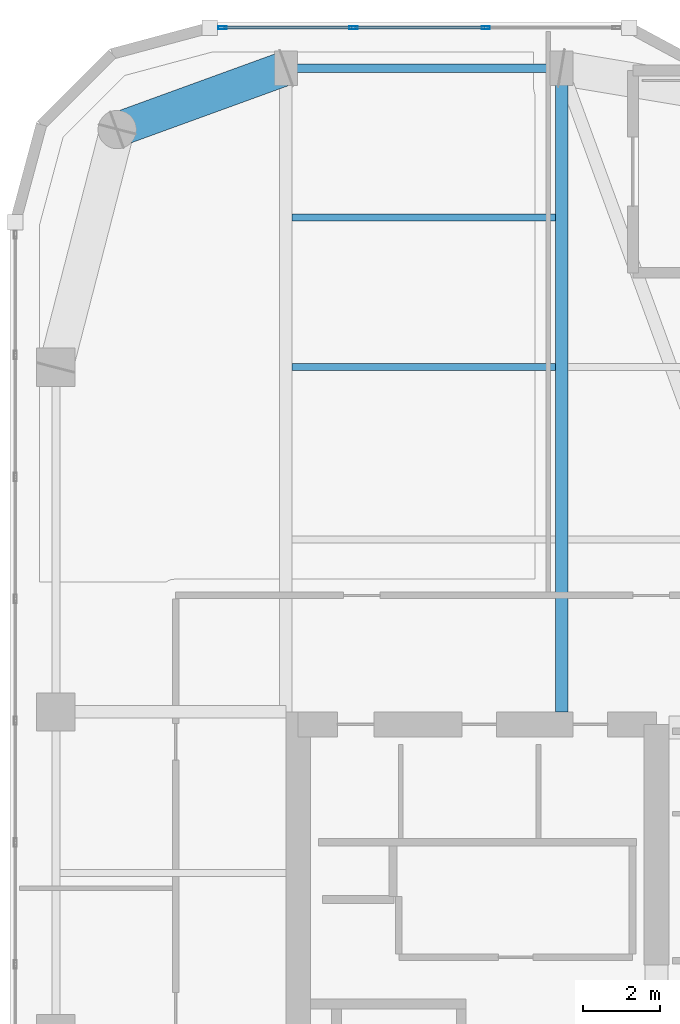
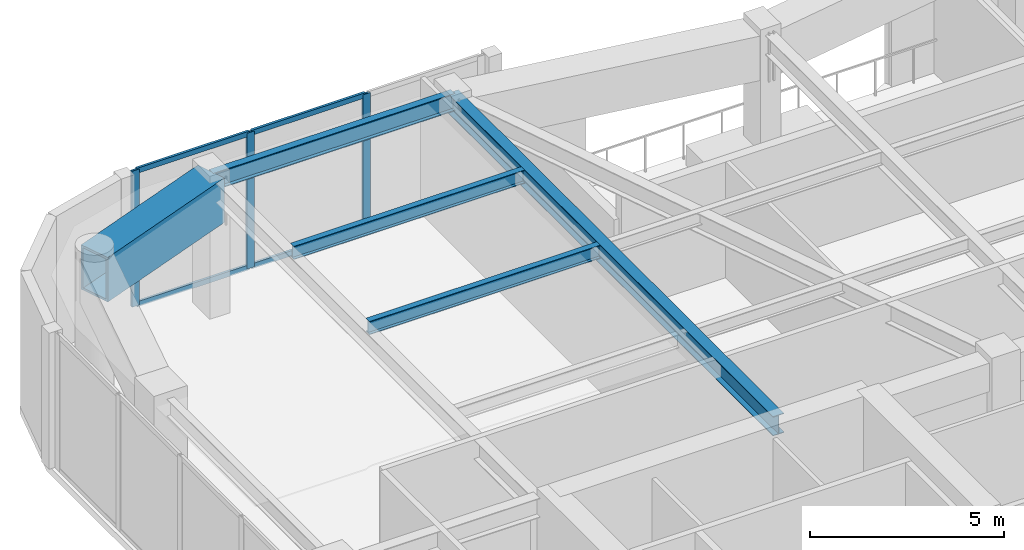
# One storey, part 7 of 19: 7 members, 5 beams, 1 element without a shape of its own.
"""IFC4 building model written with IfcOpenShell, lengths in metres."""

from ifc_helpers import new_model, si_unit, direction, frame, origin, origin_2d, place, context, subcontext, project, spatial, hollow_rectangle, i_section, extrude, material, layer, layer_set, material_profile, profile_set, type_object, element, aggregate, save


model = new_model("IFC4")

# Units and contexts
model_context = context("Model", 3, precision=1e-05, world=origin(), true_north=direction((0.0, 1.0)))
body_context = subcontext(model_context, "Body", "Model", "MODEL_VIEW")
ifc_project = project(units=[si_unit("LENGTHUNIT", "METRE"), si_unit("AREAUNIT", "SQUARE_METRE"), si_unit("VOLUMEUNIT", "CUBIC_METRE"), si_unit("PLANEANGLEUNIT", "RADIAN"), si_unit("MASSUNIT", "GRAM", prefix="KILO")], contexts=[model_context])

# Site, building, storey
site_placement = place(None, origin())
site = spatial("IfcSite", under=ifc_project, at=site_placement, CompositionType="ELEMENT")
building_placement = place(site_placement, origin())
building = spatial("IfcBuilding", under=site, at=building_placement, Name="Kiyonajd Concourse Tower", CompositionType="ELEMENT")
storey_placement = place(building_placement, frame((0.0, 0.0, 238.800048828125)))
storey = spatial("IfcBuildingStorey", under=building, at=storey_placement, Name="L60", CompositionType="ELEMENT", Elevation=238.800048828125)

# Beams
ifc_material_1 = material(Name="Steel ASTM A992 Grade 50", Category="steel")
ifc_material_profile_1 = material_profile(ifc_material_1, i_section(OverallWidth=0.180908203125, OverallDepth=0.4169921875, WebThickness=0.010986328125, FlangeThickness=0.018310546875, at=origin_2d()), Name="W410X85")
ifc_profile_set_1 = profile_set([ifc_material_profile_1], Name="Steel ASTM A992 Grade 50")
beam_type_1 = type_object("IfcBeamType", Name="BM-JST-410", PredefinedType="JOIST", material=ifc_profile_set_1)
for number, where, z_axis, x_axis, name in (
    (1, (32.56201171875, 53.39990234375, 4.071533203125), (1.0, 0.0, 0.0), (0.0, 1.0, 0.0), "L60 Secondary Floor Joist"),
    (2, (32.56201171875, 57.300048828125, 4.071533203125), (1.0, 0.0, 0.0), (0.0, 1.0, 0.0), "L60 Secondary Floor Joist"),
):
    element("IfcBeam", number, at=place(storey_placement, frame(where, z_axis=z_axis, x_axis=x_axis)), inside=storey, type_object=beam_type_1, Name=name, PredefinedType="JOIST", context=body_context, shape_type="SweptSolid", body=[
        extrude(i_section(OverallWidth=0.180908203125, OverallDepth=0.4169921875, WebThickness=0.010986328125, FlangeThickness=0.018310546875, at=origin_2d()), origin(), (0.0, 0.0, 1.0), 6.8759765625),
    ])
ifc_material_profile_2 = material_profile(ifc_material_1, i_section(OverallWidth=0.214111328125, OverallDepth=0.549072265625, WebThickness=0.0146484375, FlangeThickness=0.023681640625, at=origin_2d()), Name="W530X138")
ifc_profile_set_2 = profile_set([ifc_material_profile_2], Name="Steel ASTM A992 Grade 50")
beam_type_2 = type_object("IfcBeamType", Name="BM-SPAN-530A", PredefinedType="SPANDREL", material=ifc_profile_set_2)
beam_1_placement = place(storey_placement, frame((39.60009765625, 61.199951171875, 4.00537109375), z_axis=(-1.0, 0.0, 0.0), x_axis=(0.0, -1.0, 0.0)))
element("IfcBeam", 3, at=beam_1_placement, inside=storey, type_object=beam_type_2, Name="L60 Perimeter Bundled Tube Spandrel", PredefinedType="SPANDREL", context=body_context, shape_type="SweptSolid", body=[
    extrude(i_section(OverallWidth=0.214111328125, OverallDepth=0.549072265625, WebThickness=0.0146484375, FlangeThickness=0.023681640625, at=origin_2d()), origin(), (0.0, 0.0, 1.0), 7.2001953125),
])
ifc_material_profile_3 = material_profile(ifc_material_1, i_section(OverallWidth=0.323974609375, OverallDepth=0.611083984375, WebThickness=0.0126953125, FlangeThickness=0.01904296875, at=origin_2d()), Name="W610X155")
ifc_profile_set_3 = profile_set([ifc_material_profile_3], Name="Steel ASTM A992 Grade 50")
beam_type_3 = type_object("IfcBeamType", Name="BM-TWR-610B", PredefinedType="BEAM", material=ifc_profile_set_3)
beam_2_placement = place(storey_placement, frame((39.60009765625, 44.39990234375, 3.974365234375), z_axis=(0.0, 1.0, 0.0), x_axis=(-1.0, 0.0, 0.0)))
element("IfcBeam", 4, at=beam_2_placement, inside=storey, type_object=beam_type_3, Name="L60 North Lease Girder", PredefinedType="BEAM", context=body_context, shape_type="SweptSolid", body=[
    extrude(i_section(OverallWidth=0.323974609375, OverallDepth=0.611083984375, WebThickness=0.0126953125, FlangeThickness=0.01904296875, at=origin_2d()), origin(), (0.0, 0.0, 1.0), 16.800048828125),
])
ifc_material_2 = material(Name="Steel ASTM A572 Grade 50", Category="steel")
ifc_material_profile_4 = material_profile(ifc_material_2, hollow_rectangle(XDim=0.89990234375, YDim=1.39990234375, WallThickness=0.070068359375, at=origin_2d()), Name="BOX-1400x900x70")
ifc_profile_set_4 = profile_set([ifc_material_profile_4], Name="Steel ASTM A572 Grade 50")
beam_type_4 = type_object("IfcBeamType", Name="BM-XFER-1400", PredefinedType="BEAM", material=ifc_profile_set_4)
beam_3_placement = place(storey_placement, frame((32.39990234375, 61.199951171875, 3.579833984375), z_axis=(-0.939801036019, -0.341722127901, 0.0), x_axis=(0.341722127901, -0.939801036019, 0.0)))
element("IfcBeam", 5, at=beam_3_placement, inside=storey, type_object=beam_type_4, Name="L60 Perimeter Bundled Tube Spandrel", PredefinedType="BEAM", context=body_context, shape_type="SweptSolid", body=[
    extrude(hollow_rectangle(XDim=0.89990234375, YDim=1.39990234375, WallThickness=0.070068359375, at=origin_2d()), origin(), (0.0, 0.0, 1.0), 4.681640625),
])

# Curtain wall, members
ifc_material_3 = material(Name="Thermally Broken Anodised Aluminium", Category="aluminium")
ifc_layer = layer(ifc_material_3, 0.179931640625)
ifc_layer_set = layer_set([ifc_layer], Name="Thermally Broken Anodised Aluminium")
curtain_wall_type = type_object("IfcCurtainWallType", Name="CW-SYS-05", PredefinedType="NOTDEFINED", material=ifc_layer_set)
curtain_wall_placement = place(storey_placement, origin())
curtain_wall = element("IfcCurtainWall", 6, at=curtain_wall_placement, inside=storey, type_object=curtain_wall_type, Name="L60 Unitised Curtain Wall CW5", PredefinedType="NOTDEFINED")
ifc_material_profile_5 = material_profile(ifc_material_3, hollow_rectangle(XDim=0.074951171875, YDim=0.219970703125, WallThickness=0.0048828125, at=origin_2d()), Name="MULL-75x220")
ifc_profile_set_5 = profile_set([ifc_material_profile_5], Name="Thermally Broken Anodised Aluminium")
member_type_1 = type_object("IfcMemberType", Name="MB-CW-MULL2", PredefinedType="MULLION", material=ifc_profile_set_5)
member_1_placement = place(storey_placement, frame((30.745849609375, 62.260009765625, 0.0), z_axis=(0.0, 0.0, 1.0), x_axis=(0.0, 1.0, 0.0)))
member_1 = element("IfcMember", 7, at=member_1_placement, type_object=member_type_1, Name="CW5 mullion 1", PredefinedType="MULLION", context=body_context, shape_type="SweptSolid", body=[
    extrude(hollow_rectangle(XDim=0.074951171875, YDim=0.219970703125, WallThickness=0.0048828125, at=origin_2d()), origin(), (0.0, 0.0, 1.0), 4.280029296875),
])
member_2_placement = place(storey_placement, frame((34.163818359375, 62.260009765625, 0.0), z_axis=(0.0, 0.0, 1.0), x_axis=(0.0, 1.0, 0.0)))
member_2 = element("IfcMember", 8, at=member_2_placement, type_object=member_type_1, Name="CW5 mullion 2", PredefinedType="MULLION", context=body_context, shape_type="SweptSolid", body=[
    extrude(hollow_rectangle(XDim=0.074951171875, YDim=0.219970703125, WallThickness=0.0048828125, at=origin_2d()), origin(), (0.0, 0.0, 1.0), 4.280029296875),
])
member_3_placement = place(storey_placement, frame((37.619384765625, 62.260009765625, 0.0), z_axis=(0.0, 0.0, 1.0), x_axis=(0.0, 1.0, 0.0)))
member_3 = element("IfcMember", 9, at=member_3_placement, type_object=member_type_1, Name="CW5 mullion 3", PredefinedType="MULLION", context=body_context, shape_type="SweptSolid", body=[
    extrude(hollow_rectangle(XDim=0.074951171875, YDim=0.219970703125, WallThickness=0.0048828125, at=origin_2d()), origin(), (0.0, 0.0, 1.0), 4.280029296875),
])
ifc_material_profile_6 = material_profile(ifc_material_3, hollow_rectangle(XDim=0.074951171875, YDim=0.159912109375, WallThickness=0.0048828125, at=origin_2d()), Name="TRAN-75x160")
ifc_profile_set_6 = profile_set([ifc_material_profile_6], Name="Thermally Broken Anodised Aluminium")
member_type_2 = type_object("IfcMemberType", Name="MB-CW-TRAN2", PredefinedType="USERDEFINED", material=ifc_profile_set_6)
member_4_placement = place(storey_placement, frame((30.783447265625, 62.260009765625, 0.037353515625), z_axis=(1.0, 0.0, 0.0), x_axis=(0.0, 1.0, 0.0)))
member_4 = element("IfcMember", 10, at=member_4_placement, type_object=member_type_2, Name="CW5 transom 1.1", ObjectType="TRANSOM", PredefinedType="USERDEFINED", context=body_context, shape_type="SweptSolid", body=[
    extrude(hollow_rectangle(XDim=0.074951171875, YDim=0.159912109375, WallThickness=0.0048828125, at=origin_2d()), origin(), (0.0, 0.0, 1.0), 3.3427734375),
])
member_5_placement = place(storey_placement, frame((30.783447265625, 62.260009765625, 4.242431640625), z_axis=(1.0, 0.0, 0.0), x_axis=(0.0, 1.0, 0.0)))
member_5 = element("IfcMember", 11, at=member_5_placement, type_object=member_type_2, Name="CW5 transom 1.2", ObjectType="TRANSOM", PredefinedType="USERDEFINED", context=body_context, shape_type="SweptSolid", body=[
    extrude(hollow_rectangle(XDim=0.074951171875, YDim=0.159912109375, WallThickness=0.0048828125, at=origin_2d()), origin(), (0.0, 0.0, 1.0), 3.3427734375),
])
member_6_placement = place(storey_placement, frame((34.201416015625, 62.260009765625, 0.037353515625), z_axis=(1.0, 0.0, 0.0), x_axis=(0.0, 1.0, 0.0)))
member_6 = element("IfcMember", 12, at=member_6_placement, type_object=member_type_2, Name="CW5 transom 2.1", ObjectType="TRANSOM", PredefinedType="USERDEFINED", context=body_context, shape_type="SweptSolid", body=[
    extrude(hollow_rectangle(XDim=0.074951171875, YDim=0.159912109375, WallThickness=0.0048828125, at=origin_2d()), origin(), (0.0, 0.0, 1.0), 3.38037109375),
])
member_7_placement = place(storey_placement, frame((34.201416015625, 62.260009765625, 4.242431640625), z_axis=(1.0, 0.0, 0.0), x_axis=(0.0, 1.0, 0.0)))
member_7 = element("IfcMember", 13, at=member_7_placement, type_object=member_type_2, Name="CW5 transom 2.2", ObjectType="TRANSOM", PredefinedType="USERDEFINED", context=body_context, shape_type="SweptSolid", body=[
    extrude(hollow_rectangle(XDim=0.074951171875, YDim=0.159912109375, WallThickness=0.0048828125, at=origin_2d()), origin(), (0.0, 0.0, 1.0), 3.38037109375),
])
aggregate(curtain_wall, [member_1, member_2, member_3, member_4, member_5, member_6, member_7])

save(model, "model.ifc")
